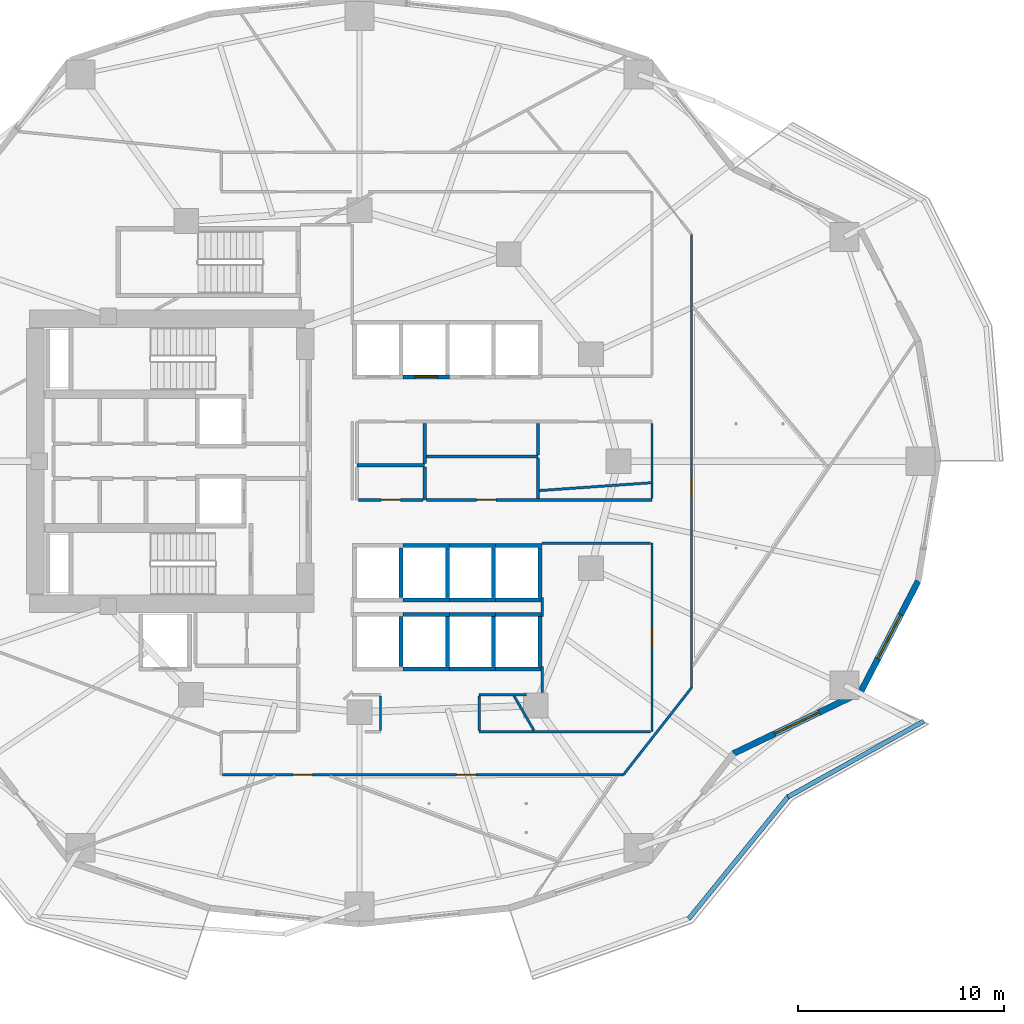
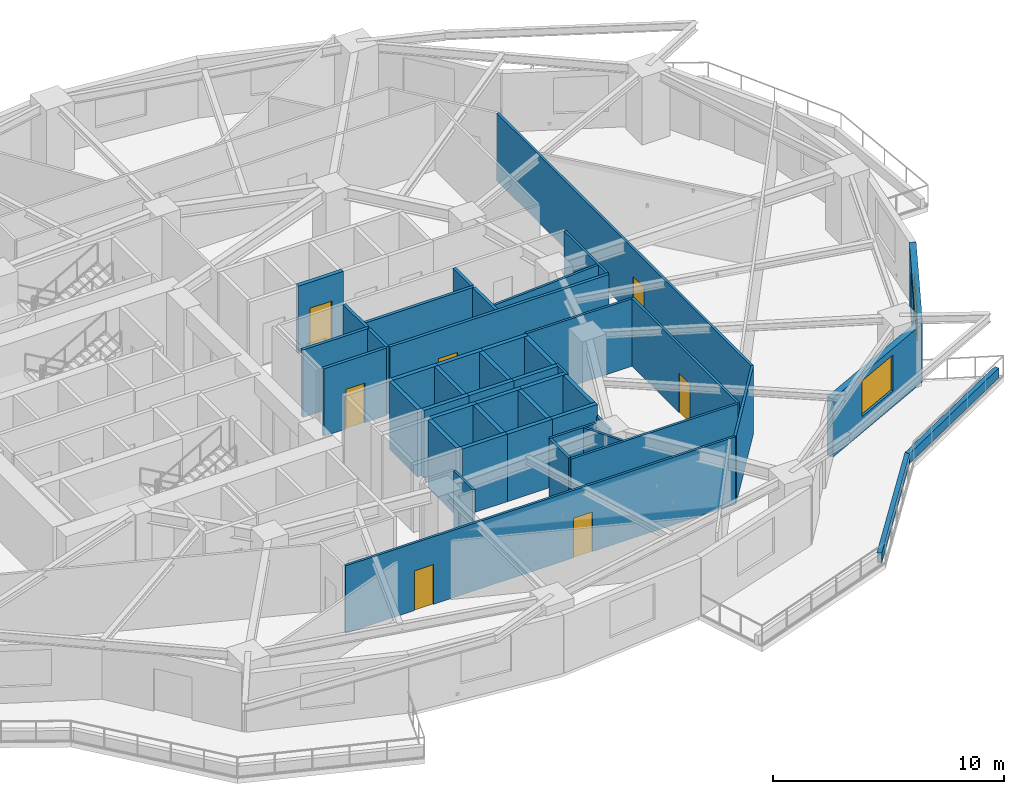
# One storey, part 5 of 16: 47 walls, 7 doors, 2 windows, 9 openings.
"""IFC4 building model written with IfcOpenShell, lengths in metres."""

from ifc_helpers import new_model, si_unit, direction, frame, frame_2d, origin, place, context, subcontext, project, spatial, rectangle, extrude, material, layer, layer_set, type_object, element, fill, save


model = new_model("IFC4")

# Units and contexts
model_context = context("Model", 3, precision=1e-05, world=origin(), true_north=direction((0.0, 1.0)))
body_context = subcontext(model_context, "Body", "Model", "MODEL_VIEW")
ifc_project = project(units=[si_unit("LENGTHUNIT", "METRE"), si_unit("AREAUNIT", "SQUARE_METRE"), si_unit("VOLUMEUNIT", "CUBIC_METRE"), si_unit("PLANEANGLEUNIT", "RADIAN"), si_unit("MASSUNIT", "GRAM", prefix="KILO")], contexts=[model_context])

# Site, building, storey
site_placement = place(None, origin())
site = spatial("IfcSite", under=ifc_project, at=site_placement, CompositionType="ELEMENT")
building_placement = place(site_placement, origin())
building = spatial("IfcBuilding", under=site, at=building_placement, Name="Kolvaren Gate Tower and Convention Centre", CompositionType="ELEMENT")
storey_placement = place(building_placement, frame((0.0, 0.0, 34.199951171875)))
storey = spatial("IfcBuildingStorey", under=building, at=storey_placement, Name="L07", CompositionType="ELEMENT", Elevation=34.199951171875)

# Wall, opening, door
ifc_material_1 = material(Name="Fire-Rated Acoustic Gypsum Stud Partition", Category="gypsum")
ifc_layer_1 = layer(ifc_material_1, 0.1201171875)
ifc_layer_set_1 = layer_set([ifc_layer_1], Name="Fire-Rated Acoustic Gypsum Stud Partition")
wall_type_1 = type_object("IfcWallType", Name="ARCH-WL-PART-120", PredefinedType="PARTITIONING", material=ifc_layer_set_1)
wall_1_placement = place(storey_placement, frame((44.35009765625, 13.85009765625, 0.0), z_axis=(0.0, 0.0, 1.0), x_axis=(0.0, 1.0, 0.0)))
wall_1 = element("IfcWall", 1, at=wall_1_placement, inside=storey, type_object=wall_type_1, Name="Interior Partition WL-L07-INT-026", PredefinedType="PARTITIONING", context=body_context, shape_type="SweptSolid", body=[
    extrude(rectangle(XDim=9.169921875, YDim=0.1201171875, at=frame_2d((4.5849609375, 0.0))), origin(), (0.0, 0.0, 1.0), 3.570068359375),
])
opening_1_placement = place(wall_1_placement, frame((4.110107421875, 0.0, 0.0)))
opening_1 = element("IfcOpeningElement", 2, at=opening_1_placement, cuts=wall_1, Name="Opening DR-01", PredefinedType="OPENING", context=body_context, shape_type="SweptSolid", body=[
    extrude(rectangle(XDim=0.949951171875, YDim=2.10009765625, at=frame_2d((0.47509765625, 1.050048828125))), frame((0.0, 0.070068359375, 0.0), z_axis=(0.0, -1.0, 0.0), x_axis=(1.0, 0.0, 0.0)), (0.0, 0.0, 1.0), 0.14013671875),
])
ifc_material_2 = material(Name="Painted Architectural Steelwork ASTM A500 Grade C 345 MPa", Category="steel")
door_type_1 = type_object("IfcDoorType", Name="ARCH-DR-RISER-950", OperationType="SINGLE_SWING_RIGHT", PredefinedType="DOOR", material=ifc_material_2)
door_1_placement = place(opening_1_placement, origin())
door_1 = element("IfcDoor", 3, at=door_1_placement, inside=storey, type_object=door_type_1, Name="Strategy Huddle Meeting Room Door", OperationType="SINGLE_SWING_RIGHT", OverallHeight=2.10009765625, OverallWidth=0.949951171875, PredefinedType="DOOR", context=body_context, shape_type="SweptSolid", body=[
    extrude(rectangle(XDim=0.949951171875, YDim=2.10009765625, at=frame_2d((0.47509765625, 1.050048828125))), frame((0.0, 0.02490234375, 0.0), z_axis=(0.0, -1.0, 0.0), x_axis=(1.0, 0.0, 0.0)), (0.0, 0.0, 1.0), 0.050048828125),
])
fill(opening_1, door_1)

# Wall
wall_2_placement = place(storey_placement, frame((44.35009765625, 25.197021484375, 0.0), z_axis=(0.0, 0.0, 1.0), x_axis=(0.0, 1.0, 0.0)))
element("IfcWall", 4, at=wall_2_placement, inside=storey, type_object=wall_type_1, Name="Interior Partition WL-L07-INT-027", PredefinedType="PARTITIONING", context=body_context, shape_type="SweptSolid", body=[
    extrude(rectangle(XDim=3.64599609375, YDim=0.1201171875, at=frame_2d((1.822998046875, 0.0))), origin(), (0.0, 0.0, 1.0), 3.570068359375),
])

# Wall, opening, door
wall_3_placement = place(storey_placement, frame((46.27001953125, 15.98193359375, 0.0), z_axis=(0.0, 0.0, 1.0), x_axis=(0.0, 1.0, 0.0)))
wall_3 = element("IfcWall", 5, at=wall_3_placement, inside=storey, type_object=wall_type_1, Name="Interior Partition WL-L07-INT-035", PredefinedType="PARTITIONING", context=body_context, shape_type="SweptSolid", body=[
    extrude(rectangle(XDim=22.0361328125, YDim=0.1201171875, at=frame_2d((11.01806640625, 0.0))), origin(), (0.0, 0.0, 1.0), 3.570068359375),
])
opening_2_placement = place(wall_3_placement, frame((9.280029296875, 0.0, 0.0)))
opening_2 = element("IfcOpeningElement", 6, at=opening_2_placement, cuts=wall_3, Name="Opening DR-01", PredefinedType="OPENING", context=body_context, shape_type="SweptSolid", body=[
    extrude(rectangle(XDim=0.949951171875, YDim=2.10009765625, at=frame_2d((0.47509765625, 1.050048828125))), frame((0.0, 0.070068359375, 0.0), z_axis=(0.0, -1.0, 0.0), x_axis=(1.0, 0.0, 0.0)), (0.0, 0.0, 1.0), 0.14013671875),
])
door_2_placement = place(opening_2_placement, origin())
door_2 = element("IfcDoor", 7, at=door_2_placement, inside=storey, type_object=door_type_1, Name="Strategy Huddle Meeting Room Door", OperationType="SINGLE_SWING_LEFT", OverallHeight=2.10009765625, OverallWidth=0.949951171875, PredefinedType="DOOR", context=body_context, shape_type="SweptSolid", body=[
    extrude(rectangle(XDim=0.949951171875, YDim=2.10009765625, at=frame_2d((0.47509765625, 1.050048828125))), frame((0.0, 0.02490234375, 0.0), z_axis=(0.0, -1.0, 0.0), x_axis=(1.0, 0.0, 0.0)), (0.0, 0.0, 1.0), 0.050048828125),
])
fill(opening_2, door_2)

# Wall
wall_4_placement = place(storey_placement, frame((42.95703125, 11.75, 0.0), z_axis=(0.0, 0.0, 1.0), x_axis=(0.616428289415, 0.78741105149, 0.0)))
element("IfcWall", 8, at=wall_4_placement, inside=storey, type_object=wall_type_1, Name="Interior Partition WL-L07-INT-036", PredefinedType="PARTITIONING", context=body_context, shape_type="SweptSolid", body=[
    extrude(rectangle(XDim=5.37451171875, YDim=0.1201171875, at=frame_2d((2.687255859375, 0.0))), origin(), (0.0, 0.0, 1.0), 3.570068359375),
])

# Wall, openings, doors
wall_5_placement = place(storey_placement, frame((23.4619140625, 11.75, 0.0), z_axis=(0.0, 0.0, 1.0), x_axis=(1.0, 0.0, 0.0)))
wall_5 = element("IfcWall", 9, at=wall_5_placement, inside=storey, type_object=wall_type_1, Name="Interior Partition WL-L07-INT-037", PredefinedType="PARTITIONING", context=body_context, shape_type="SweptSolid", body=[
    extrude(rectangle(XDim=19.4951171875, YDim=0.1201171875, at=frame_2d((9.74755859375, 0.0))), origin(), (0.0, 0.0, 1.0), 3.570068359375),
])
opening_3_placement = place(wall_5_placement, frame((3.43408203125, 0.0, 0.0)))
opening_3 = element("IfcOpeningElement", 10, at=opening_3_placement, cuts=wall_5, Name="Opening DR-01", PredefinedType="OPENING", context=body_context, shape_type="SweptSolid", body=[
    extrude(rectangle(XDim=0.949951171875, YDim=2.10009765625, at=frame_2d((0.47509765625, 1.050048828125))), frame((0.0, 0.070068359375, 0.0), z_axis=(0.0, -1.0, 0.0), x_axis=(1.0, 0.0, 0.0)), (0.0, 0.0, 1.0), 0.14013671875),
])
opening_4_placement = place(wall_5_placement, frame((11.388427734375, 0.0, 0.0)))
opening_4 = element("IfcOpeningElement", 11, at=opening_4_placement, cuts=wall_5, Name="Opening DR-01", PredefinedType="OPENING", context=body_context, shape_type="SweptSolid", body=[
    extrude(rectangle(XDim=0.949951171875, YDim=2.10009765625, at=frame_2d((0.47509765625, 1.050048828125))), frame((0.0, 0.070068359375, 0.0), z_axis=(0.0, -1.0, 0.0), x_axis=(1.0, 0.0, 0.0)), (0.0, 0.0, 1.0), 0.14013671875),
])
door_3_placement = place(opening_3_placement, origin())
door_3 = element("IfcDoor", 12, at=door_3_placement, inside=storey, type_object=door_type_1, Name="Conference and Training Seminar Room Door", OperationType="SINGLE_SWING_RIGHT", OverallHeight=2.10009765625, OverallWidth=0.949951171875, PredefinedType="DOOR", context=body_context, shape_type="SweptSolid", body=[
    extrude(rectangle(XDim=0.949951171875, YDim=2.10009765625, at=frame_2d((0.47509765625, 1.050048828125))), frame((0.0, 0.02490234375, 0.0), z_axis=(0.0, -1.0, 0.0), x_axis=(1.0, 0.0, 0.0)), (0.0, 0.0, 1.0), 0.050048828125),
])
fill(opening_3, door_3)
door_4_placement = place(opening_4_placement, origin())
door_4 = element("IfcDoor", 13, at=door_4_placement, inside=storey, type_object=door_type_1, Name="Catering Tea Pantry Door", OperationType="SINGLE_SWING_LEFT", OverallHeight=2.10009765625, OverallWidth=0.949951171875, PredefinedType="DOOR", context=body_context, shape_type="SweptSolid", body=[
    extrude(rectangle(XDim=0.949951171875, YDim=2.10009765625, at=frame_2d((0.47509765625, 1.050048828125))), frame((0.0, 0.02490234375, 0.0), z_axis=(0.0, -1.0, 0.0), x_axis=(1.0, 0.0, 0.0)), (0.0, 0.0, 1.0), 0.050048828125),
])
fill(opening_4, door_4)

# Walls
wall_6_placement = place(storey_placement, frame((35.949951171875, 13.85009765625, 0.0), z_axis=(0.0, 0.0, 1.0), x_axis=(1.0, 0.0, 0.0)))
element("IfcWall", 14, at=wall_6_placement, inside=storey, type_object=wall_type_1, Name="Interior Partition WL-L07-INT-040", PredefinedType="PARTITIONING", context=body_context, shape_type="SweptSolid", body=[
    extrude(rectangle(XDim=8.338134765625, YDim=0.1201171875, at=frame_2d((4.1689453125, 0.0))), origin(), (0.0, 0.0, 1.0), 3.570068359375),
])
wall_7_placement = place(storey_placement, frame((35.949951171875, 15.64990234375, 0.0), z_axis=(0.0, 0.0, 1.0), x_axis=(1.0, 0.0, 0.0)))
element("IfcWall", 15, at=wall_7_placement, inside=storey, type_object=wall_type_1, Name="Interior Partition WL-L07-INT-044", PredefinedType="PARTITIONING", context=body_context, shape_type="SweptSolid", body=[
    extrude(rectangle(XDim=2.291015625, YDim=0.1201171875, at=frame_2d((1.1455078125, 0.0))), origin(), (0.0, 0.0, 1.0), 3.570068359375),
])
wall_8_placement = place(storey_placement, frame((35.949951171875, 13.912109375, 0.0), z_axis=(0.0, 0.0, 1.0), x_axis=(0.0, 1.0, 0.0)))
element("IfcWall", 16, at=wall_8_placement, inside=storey, type_object=wall_type_1, Name="Interior Partition WL-L07-INT-045", PredefinedType="PARTITIONING", context=body_context, shape_type="SweptSolid", body=[
    extrude(rectangle(XDim=1.67578125, YDim=0.1201171875, at=frame_2d((0.837890625, 0.0))), origin(), (0.0, 0.0, 1.0), 3.570068359375),
])
wall_9_placement = place(storey_placement, frame((39.0, 23.02001953125, 0.0), z_axis=(0.0, 0.0, 1.0), x_axis=(1.0, 0.0, 0.0)))
element("IfcWall", 17, at=wall_9_placement, inside=storey, type_object=wall_type_1, Name="Interior Partition WL-L07-INT-046", PredefinedType="PARTITIONING", context=body_context, shape_type="SweptSolid", body=[
    extrude(rectangle(XDim=5.2880859375, YDim=0.1201171875, at=frame_2d((2.64404296875, 0.0))), origin(), (0.0, 0.0, 1.0), 3.570068359375),
])
wall_10_placement = place(storey_placement, frame((39.02001953125, 15.741943359375, 0.0), z_axis=(0.0, 0.0, 1.0), x_axis=(0.0, 1.0, 0.0)))
element("IfcWall", 18, at=wall_10_placement, inside=storey, type_object=wall_type_1, Name="Interior Partition WL-L07-INT-047", PredefinedType="PARTITIONING", context=body_context, shape_type="SweptSolid", body=[
    extrude(rectangle(XDim=1.26806640625, YDim=0.1201171875, at=frame_2d((0.634033203125, 0.0))), origin(), (0.0, 0.0, 1.0), 2.93408203125),
])
wall_11_placement = place(storey_placement, frame((39.02001953125, 19.43994140625, 0.0), z_axis=(0.0, 0.0, 1.0), x_axis=(0.0, 1.0, 0.0)))
element("IfcWall", 19, at=wall_11_placement, inside=storey, type_object=wall_type_1, Name="Interior Partition WL-L07-INT-047 (2)", PredefinedType="PARTITIONING", context=body_context, shape_type="SweptSolid", body=[
    extrude(rectangle(XDim=0.920166015625, YDim=0.1201171875, at=frame_2d((0.4599609375, 0.0))), origin(), (0.0, 0.0, 1.0), 3.570068359375),
])
wall_12_placement = place(storey_placement, frame((31.14990234375, 13.912109375, 0.0), z_axis=(0.0, 0.0, 1.0), x_axis=(0.0, 1.0, 0.0)))
element("IfcWall", 20, at=wall_12_placement, inside=storey, type_object=wall_type_1, Name="Interior Partition WL-L07-INT-049", PredefinedType="PARTITIONING", context=body_context, shape_type="SweptSolid", body=[
    extrude(rectangle(XDim=1.67578125, YDim=0.1201171875, at=frame_2d((0.837890625, 0.0))), origin(), (0.0, 0.0, 1.0), 3.570068359375),
])
wall_13_placement = place(storey_placement, frame((37.641845703125, 15.587890625, 0.0), z_axis=(0.0, 0.0, 1.0), x_axis=(0.499911776505, -0.866076333652, 0.0)))
element("IfcWall", 21, at=wall_13_placement, inside=storey, type_object=wall_type_1, Name="Interior Partition WL-L07-INT-059", PredefinedType="PARTITIONING", context=body_context, shape_type="SweptSolid", body=[
    extrude(rectangle(XDim=1.934814453125, YDim=0.1201171875, at=frame_2d((0.96728515625, 0.0))), origin(), (0.0, 0.0, 1.0), 3.570068359375),
])
wall_14_placement = place(storey_placement, frame((38.876953125, 25.5703125, 0.0), z_axis=(0.0, 0.0, 1.0), x_axis=(0.997563605061, 0.069762840094, 0.0)))
element("IfcWall", 22, at=wall_14_placement, inside=storey, type_object=wall_type_1, Name="Interior Partition WL-L07-INT-062", PredefinedType="PARTITIONING", context=body_context, shape_type="SweptSolid", body=[
    extrude(rectangle(XDim=5.42431640625, YDim=0.1201171875, at=frame_2d((2.712158203125, 0.0))), origin(), (0.0, 0.0, 1.0), 3.570068359375),
])
ifc_material_3 = material(Name="Piedmont Cream Honed Limestone Cladding", Category="masonry")
ifc_layer_2 = layer(ifc_material_3, 0.219970703125)
ifc_layer_set_2 = layer_set([ifc_layer_2], Name="Piedmont Cream Honed Limestone Cladding")
wall_type_2 = type_object("IfcWallType", Name="ARCH-WL-PLANTER-220", PredefinedType="PARAPET", material=ifc_layer_set_2)
wall_15_placement = place(storey_placement, frame((46.1357421875, 4.748779296875, 0.0), z_axis=(0.0, 0.0, 1.0), x_axis=(0.630997450658, 0.775784903993, 0.0)))
element("IfcWall", 23, at=wall_15_placement, inside=storey, type_object=wall_type_2, Name="Vertical-Forest Balcony Stone Planter Kerb PK-L07-4.2", PredefinedType="PARAPET", context=body_context, shape_type="SweptSolid", body=[
    extrude(rectangle(XDim=7.7177734375, YDim=0.219970703125, at=frame_2d((3.85888671875, 0.0))), origin(), (0.0, 0.0, 1.0), 0.52001953125),
])
wall_16_placement = place(storey_placement, frame((50.959228515625, 10.677978515625, 0.0), z_axis=(0.0, 0.0, 1.0), x_axis=(0.873500119739, 0.48682393205, 0.0)))
element("IfcWall", 24, at=wall_16_placement, inside=storey, type_object=wall_type_2, Name="Vertical-Forest Balcony Stone Planter Kerb PK-L07-4.3", PredefinedType="PARAPET", context=body_context, shape_type="SweptSolid", body=[
    extrude(rectangle(XDim=7.56201171875, YDim=0.219970703125, at=frame_2d((3.781005859375, 0.0))), origin(), (0.0, 0.0, 1.0), 0.52001953125),
])

# Wall, opening, door
ifc_material_4 = material(Name="Autoclaved Aerated Masonry Blockwork Class 4 (4.0 MPa)", Category="masonry")
ifc_layer_3 = layer(ifc_material_4, 0.199951171875)
ifc_layer_set_3 = layer_set([ifc_layer_3], Name="Autoclaved Aerated Masonry Blockwork Class 4 (4.0 MPa)")
wall_type_3 = type_object("IfcWallType", Name="ARCH-WL-SHAFT-200", PredefinedType="SOLIDWALL", material=ifc_layer_set_3)
wall_17_placement = place(storey_placement, frame((32.25, 31.10009765625, 0.0), z_axis=(0.0, 0.0, 1.0), x_axis=(1.0, 0.0, 0.0)))
wall_17 = element("IfcWall", 25, at=wall_17_placement, inside=storey, type_object=wall_type_3, Name="Elevator PL-02 L07 Fire Shaft Wall S", PredefinedType="SOLIDWALL", context=body_context, shape_type="SweptSolid", body=[
    extrude(rectangle(XDim=2.25, YDim=0.199951171875, at=frame_2d((1.125, 0.0))), origin(), (0.0, 0.0, 1.0), 3.570068359375),
])
opening_5_placement = place(wall_17_placement, frame((0.574951171875, 0.0, 0.0)))
opening_5 = element("IfcOpeningElement", 26, at=opening_5_placement, cuts=wall_17, Name="Opening LD", PredefinedType="OPENING", context=body_context, shape_type="SweptSolid", body=[
    extrude(rectangle(XDim=1.10009765625, YDim=2.199951171875, at=frame_2d((0.550048828125, 1.10009765625))), frame((0.0, 0.10986328125, 0.0), z_axis=(0.0, -1.0, 0.0), x_axis=(1.0, 0.0, 0.0)), (0.0, 0.0, 1.0), 0.219970703125),
])
ifc_material_5 = material(Name="Brushed Stainless Steel Grade 316L", Category="steel")
door_type_2 = type_object("IfcDoorType", Name="ARCH-DR-LIFT-1100", OperationType="SLIDING_TO_LEFT", PredefinedType="DOOR", material=ifc_material_5)
door_5_placement = place(opening_5_placement, origin())
door_5 = element("IfcDoor", 27, at=door_5_placement, inside=storey, type_object=door_type_2, Name="Elevator PL-02 L07 Sliding Landing Door", OperationType="SLIDING_TO_LEFT", OverallHeight=2.199951171875, OverallWidth=1.10009765625, PredefinedType="DOOR", context=body_context, shape_type="SweptSolid", body=[
    extrude(rectangle(XDim=1.10009765625, YDim=2.199951171875, at=frame_2d((0.550048828125, 1.10009765625))), frame((0.0, 0.02490234375, 0.0), z_axis=(0.0, -1.0, 0.0), x_axis=(1.0, 0.0, 0.0)), (0.0, 0.0, 1.0), 0.050048828125),
])
fill(opening_5, door_5)

# Walls
wall_18_placement = place(storey_placement, frame((32.14990234375, 17.010009765625, 0.0), z_axis=(0.0, 0.0, 1.0), x_axis=(0.0, 1.0, 0.0)))
element("IfcWall", 28, at=wall_18_placement, inside=storey, type_object=wall_type_3, Name="Elevator PL-05 L07 Fire Shaft Wall E", PredefinedType="SOLIDWALL", context=body_context, shape_type="SweptSolid", body=[
    extrude(rectangle(XDim=2.429931640625, YDim=0.199951171875, at=frame_2d((1.21484375, 0.0))), origin(), (0.0, 0.0, 1.0), 3.570068359375),
])
for number, where, z_axis, x_axis, name in (
    (29, (32.25, 19.550048828125, 0.0), (0.0, 0.0, 1.0), (1.0, 0.0, 0.0), "Elevator PL-06 L07 Fire Shaft Wall N"),
    (30, (32.25, 16.89990234375, 0.0), (0.0, 0.0, 1.0), (1.0, 0.0, 0.0), "Elevator PL-06 L07 Fire Shaft Wall S"),
):
    element("IfcWall", number, at=place(storey_placement, frame(where, z_axis=z_axis, x_axis=x_axis)), inside=storey, type_object=wall_type_3, Name=name, PredefinedType="SOLIDWALL", context=body_context, shape_type="SweptSolid", body=[
        extrude(rectangle(XDim=2.25, YDim=0.199951171875, at=frame_2d((1.125, 0.0))), origin(), (0.0, 0.0, 1.0), 3.570068359375),
    ])
wall_19_placement = place(storey_placement, frame((34.39990234375, 17.010009765625, 0.0), z_axis=(0.0, 0.0, 1.0), x_axis=(0.0, 1.0, 0.0)))
element("IfcWall", 31, at=wall_19_placement, inside=storey, type_object=wall_type_3, Name="Elevator PL-06 L07 Fire Shaft Wall E", PredefinedType="SOLIDWALL", context=body_context, shape_type="SweptSolid", body=[
    extrude(rectangle(XDim=2.429931640625, YDim=0.199951171875, at=frame_2d((1.21484375, 0.0))), origin(), (0.0, 0.0, 1.0), 3.570068359375),
])
for number, where, z_axis, x_axis, name in (
    (32, (34.5, 19.550048828125, 0.0), (0.0, 0.0, 1.0), (1.0, 0.0, 0.0), "Elevator PL-07 L07 Fire Shaft Wall N"),
    (33, (34.5, 16.89990234375, 0.0), (0.0, 0.0, 1.0), (1.0, 0.0, 0.0), "Elevator PL-07 L07 Fire Shaft Wall S"),
):
    element("IfcWall", number, at=place(storey_placement, frame(where, z_axis=z_axis, x_axis=x_axis)), inside=storey, type_object=wall_type_3, Name=name, PredefinedType="SOLIDWALL", context=body_context, shape_type="SweptSolid", body=[
        extrude(rectangle(XDim=2.25, YDim=0.199951171875, at=frame_2d((1.125, 0.0))), origin(), (0.0, 0.0, 1.0), 3.570068359375),
    ])
wall_20_placement = place(storey_placement, frame((36.64990234375, 17.010009765625, 0.0), z_axis=(0.0, 0.0, 1.0), x_axis=(0.0, 1.0, 0.0)))
element("IfcWall", 34, at=wall_20_placement, inside=storey, type_object=wall_type_3, Name="Elevator PL-07 L07 Fire Shaft Wall E", PredefinedType="SOLIDWALL", context=body_context, shape_type="SweptSolid", body=[
    extrude(rectangle(XDim=2.429931640625, YDim=0.199951171875, at=frame_2d((1.21484375, 0.0))), origin(), (0.0, 0.0, 1.0), 3.570068359375),
])
for number, where, z_axis, x_axis, name in (
    (35, (36.75, 19.550048828125, 0.0), (0.0, 0.0, 1.0), (1.0, 0.0, 0.0), "Elevator PL-08 L07 Fire Shaft Wall N"),
    (36, (36.75, 16.89990234375, 0.0), (0.0, 0.0, 1.0), (1.0, 0.0, 0.0), "Elevator PL-08 L07 Fire Shaft Wall S"),
):
    element("IfcWall", number, at=place(storey_placement, frame(where, z_axis=z_axis, x_axis=x_axis)), inside=storey, type_object=wall_type_3, Name=name, PredefinedType="SOLIDWALL", context=body_context, shape_type="SweptSolid", body=[
        extrude(rectangle(XDim=2.25, YDim=0.199951171875, at=frame_2d((1.125, 0.0))), origin(), (0.0, 0.0, 1.0), 3.570068359375),
    ])
for number, where, z_axis, x_axis, name in (
    (37, (38.89990234375, 17.010009765625, 0.0), (0.0, 0.0, 1.0), (0.0, 1.0, 0.0), "Elevator PL-08 L07 Fire Shaft Wall E"),
    (38, (32.14990234375, 20.360107421875, 0.0), (0.0, 0.0, 1.0), (0.0, 1.0, 0.0), "Elevator PL-09 L07 Fire Shaft Wall E"),
):
    element("IfcWall", number, at=place(storey_placement, frame(where, z_axis=z_axis, x_axis=x_axis)), inside=storey, type_object=wall_type_3, Name=name, PredefinedType="SOLIDWALL", context=body_context, shape_type="SweptSolid", body=[
        extrude(rectangle(XDim=2.429931640625, YDim=0.199951171875, at=frame_2d((1.21484375, 0.0))), origin(), (0.0, 0.0, 1.0), 3.570068359375),
    ])
for number, where, z_axis, x_axis, name in (
    (39, (32.25, 22.89990234375, 0.0), (0.0, 0.0, 1.0), (1.0, 0.0, 0.0), "Elevator PL-10 L07 Fire Shaft Wall N"),
    (40, (32.25, 20.25, 0.0), (0.0, 0.0, 1.0), (1.0, 0.0, 0.0), "Elevator PL-10 L07 Fire Shaft Wall S"),
):
    element("IfcWall", number, at=place(storey_placement, frame(where, z_axis=z_axis, x_axis=x_axis)), inside=storey, type_object=wall_type_3, Name=name, PredefinedType="SOLIDWALL", context=body_context, shape_type="SweptSolid", body=[
        extrude(rectangle(XDim=2.25, YDim=0.199951171875, at=frame_2d((1.125, 0.0))), origin(), (0.0, 0.0, 1.0), 3.570068359375),
    ])
wall_21_placement = place(storey_placement, frame((34.39990234375, 20.360107421875, 0.0), z_axis=(0.0, 0.0, 1.0), x_axis=(0.0, 1.0, 0.0)))
element("IfcWall", 41, at=wall_21_placement, inside=storey, type_object=wall_type_3, Name="Elevator PL-10 L07 Fire Shaft Wall E", PredefinedType="SOLIDWALL", context=body_context, shape_type="SweptSolid", body=[
    extrude(rectangle(XDim=2.429931640625, YDim=0.199951171875, at=frame_2d((1.21484375, 0.0))), origin(), (0.0, 0.0, 1.0), 3.570068359375),
])
for number, where, z_axis, x_axis, name in (
    (42, (34.5, 22.89990234375, 0.0), (0.0, 0.0, 1.0), (1.0, 0.0, 0.0), "Elevator PL-11 L07 Fire Shaft Wall N"),
    (43, (34.5, 20.25, 0.0), (0.0, 0.0, 1.0), (1.0, 0.0, 0.0), "Elevator PL-11 L07 Fire Shaft Wall S"),
):
    element("IfcWall", number, at=place(storey_placement, frame(where, z_axis=z_axis, x_axis=x_axis)), inside=storey, type_object=wall_type_3, Name=name, PredefinedType="SOLIDWALL", context=body_context, shape_type="SweptSolid", body=[
        extrude(rectangle(XDim=2.25, YDim=0.199951171875, at=frame_2d((1.125, 0.0))), origin(), (0.0, 0.0, 1.0), 3.570068359375),
    ])
wall_22_placement = place(storey_placement, frame((36.64990234375, 20.360107421875, 0.0), z_axis=(0.0, 0.0, 1.0), x_axis=(0.0, 1.0, 0.0)))
element("IfcWall", 44, at=wall_22_placement, inside=storey, type_object=wall_type_3, Name="Elevator PL-11 L07 Fire Shaft Wall E", PredefinedType="SOLIDWALL", context=body_context, shape_type="SweptSolid", body=[
    extrude(rectangle(XDim=2.429931640625, YDim=0.199951171875, at=frame_2d((1.21484375, 0.0))), origin(), (0.0, 0.0, 1.0), 3.570068359375),
])
for number, where, z_axis, x_axis, name in (
    (45, (36.75, 22.89990234375, 0.0), (0.0, 0.0, 1.0), (1.0, 0.0, 0.0), "Elevator PL-12 L07 Fire Shaft Wall N"),
    (46, (36.75, 20.25, 0.0), (0.0, 0.0, 1.0), (1.0, 0.0, 0.0), "Elevator PL-12 L07 Fire Shaft Wall S"),
):
    element("IfcWall", number, at=place(storey_placement, frame(where, z_axis=z_axis, x_axis=x_axis)), inside=storey, type_object=wall_type_3, Name=name, PredefinedType="SOLIDWALL", context=body_context, shape_type="SweptSolid", body=[
        extrude(rectangle(XDim=2.25, YDim=0.199951171875, at=frame_2d((1.125, 0.0))), origin(), (0.0, 0.0, 1.0), 3.570068359375),
    ])
wall_23_placement = place(storey_placement, frame((38.89990234375, 20.360107421875, 0.0), z_axis=(0.0, 0.0, 1.0), x_axis=(0.0, 1.0, 0.0)))
element("IfcWall", 47, at=wall_23_placement, inside=storey, type_object=wall_type_3, Name="Elevator PL-12 L07 Fire Shaft Wall E", PredefinedType="SOLIDWALL", context=body_context, shape_type="SweptSolid", body=[
    extrude(rectangle(XDim=2.429931640625, YDim=0.199951171875, at=frame_2d((1.21484375, 0.0))), origin(), (0.0, 0.0, 1.0), 3.570068359375),
])

# Wall, opening, window
ifc_layer_4 = layer(ifc_material_3, 0.300048828125)
ifc_layer_set_4 = layer_set([ifc_layer_4], Name="Piedmont Cream Honed Limestone Cladding")
wall_type_4 = type_object("IfcWallType", Name="ARCH-WL-STONE-300", PredefinedType="SOLIDWALL", material=ifc_layer_set_4)
wall_24_placement = place(storey_placement, frame((48.315185546875, 12.787109375, 0.0), z_axis=(0.0, 0.0, 1.0), x_axis=(0.901360393999, 0.433069786673, 0.0)))
wall_24 = element("IfcWall", 48, at=wall_24_placement, inside=storey, type_object=wall_type_4, Name="Tower L07 Honed Stone Spandrel Wall EW-21", PredefinedType="SOLIDWALL", context=body_context, shape_type="SweptSolid", body=[
    extrude(rectangle(XDim=6.841552734375, YDim=0.300048828125, at=frame_2d((3.4208984375, 0.0))), origin(), (0.0, 0.0, 1.0), 3.093017578125),
])
opening_6_placement = place(wall_24_placement, frame((2.220947265625, 0.0, 0.85009765625)))
opening_6 = element("IfcOpeningElement", 49, at=opening_6_placement, cuts=wall_24, Name="Opening W-01", PredefinedType="OPENING", context=body_context, shape_type="SweptSolid", body=[
    extrude(rectangle(XDim=2.39990234375, YDim=1.89990234375, at=frame_2d((1.199951171875, 0.949951171875))), frame((0.0, 0.159912109375, 0.0), z_axis=(0.0, -1.0, 0.0), x_axis=(1.0, 0.0, 0.0)), (0.0, 0.0, 1.0), 0.320068359375),
])
ifc_material_6 = material(Name="Low-E Triple Insulated Glazing Unit 44 mm", Category="glass")
window_type = type_object("IfcWindowType", Name="ARCH-WN-OFF-2400", PartitioningType="SINGLE_PANEL", PredefinedType="WINDOW", material=ifc_material_6)
window_1_placement = place(opening_6_placement, origin())
window_1 = element("IfcWindow", 50, at=window_1_placement, inside=storey, type_object=window_type, Name="Tower L07 Punched Stone Facade Window W-21", OverallHeight=1.89990234375, OverallWidth=2.39990234375, PartitioningType="SINGLE_PANEL", PredefinedType="WINDOW", context=body_context, shape_type="SweptSolid", body=[
    extrude(rectangle(XDim=2.39990234375, YDim=1.89990234375, at=frame_2d((1.199951171875, 0.949951171875))), frame((0.0, 0.030029296875, 0.0), z_axis=(0.0, -1.0, 0.0), x_axis=(1.0, 0.0, 0.0)), (0.0, 0.0, 1.0), 0.06005859375),
])
fill(opening_6, window_1)

wall_25_placement = place(storey_placement, frame((54.48193359375, 15.75, 0.0), z_axis=(0.0, 0.0, 1.0), x_axis=(0.459809804413, 0.88801742312, 0.0)))
wall_25 = element("IfcWall", 51, at=wall_25_placement, inside=storey, type_object=wall_type_4, Name="Tower L07 Honed Stone Spandrel Wall EW-22", PredefinedType="SOLIDWALL", context=body_context, shape_type="SweptSolid", body=[
    extrude(rectangle(XDim=6.11083984375, YDim=0.300048828125, at=frame_2d((3.055419921875, 0.0))), origin(), (0.0, 0.0, 1.0), 3.093017578125),
])
opening_7_placement = place(wall_25_placement, frame((1.85498046875, 0.0, 0.85009765625)))
opening_7 = element("IfcOpeningElement", 52, at=opening_7_placement, cuts=wall_25, Name="Opening W-01", PredefinedType="OPENING", context=body_context, shape_type="SweptSolid", body=[
    extrude(rectangle(XDim=2.39990234375, YDim=1.89990234375, at=frame_2d((1.199951171875, 0.949951171875))), frame((0.0, 0.159912109375, 0.0), z_axis=(0.0, -1.0, 0.0), x_axis=(1.0, 0.0, 0.0)), (0.0, 0.0, 1.0), 0.320068359375),
])
window_2_placement = place(opening_7_placement, origin())
window_2 = element("IfcWindow", 53, at=window_2_placement, inside=storey, type_object=window_type, Name="Tower L07 Punched Stone Facade Window W-22", OverallHeight=1.89990234375, OverallWidth=2.39990234375, PartitioningType="SINGLE_PANEL", PredefinedType="WINDOW", context=body_context, shape_type="SweptSolid", body=[
    extrude(rectangle(XDim=2.39990234375, YDim=1.89990234375, at=frame_2d((1.199951171875, 0.949951171875))), frame((0.0, 0.030029296875, 0.0), z_axis=(0.0, -1.0, 0.0), x_axis=(1.0, 0.0, 0.0)), (0.0, 0.0, 1.0), 0.06005859375),
])
fill(opening_7, window_2)

# Walls
ifc_material_7 = material(Name="Moisture-Resistant Cement-Board Acoustic Partition", Category="gypsum")
ifc_layer_5 = layer(ifc_material_7, 0.14990234375)
ifc_layer_set_5 = layer_set([ifc_layer_5], Name="Moisture-Resistant Cement-Board Acoustic Partition")
wall_type_5 = type_object("IfcWallType", Name="ARCH-WL-WET-150", PredefinedType="PARTITIONING", material=ifc_layer_set_5)
wall_26_placement = place(storey_placement, frame((30.0, 26.800048828125, 0.0), z_axis=(0.0, 0.0, 1.0), x_axis=(1.0, 0.0, 0.0)))
element("IfcWall", 54, at=wall_26_placement, inside=storey, type_object=wall_type_5, Name="Interior Partition WL-L07-INT-015", PredefinedType="PARTITIONING", context=body_context, shape_type="SweptSolid", body=[
    extrude(rectangle(XDim=3.300048828125, YDim=0.14990234375, at=frame_2d((1.64990234375, 0.0))), origin(), (0.0, 0.0, 1.0), 3.570068359375),
])
wall_27_placement = place(storey_placement, frame((33.300048828125, 25.1201171875, 0.0), z_axis=(0.0, 0.0, 1.0), x_axis=(0.0, 1.0, 0.0)))
element("IfcWall", 55, at=wall_27_placement, inside=storey, type_object=wall_type_5, Name="Interior Partition WL-L07-INT-018", PredefinedType="PARTITIONING", context=body_context, shape_type="SweptSolid", body=[
    extrude(rectangle(XDim=1.602783203125, YDim=0.14990234375, at=frame_2d((0.80126953125, 0.0))), origin(), (0.0, 0.0, 1.0), 3.570068359375),
])
wall_28_placement = place(storey_placement, frame((33.300048828125, 26.876953125, 0.0), z_axis=(0.0, 0.0, 1.0), x_axis=(0.0, 1.0, 0.0)))
element("IfcWall", 56, at=wall_28_placement, inside=storey, type_object=wall_type_5, Name="Interior Partition WL-L07-INT-018 (2)", PredefinedType="PARTITIONING", context=body_context, shape_type="SweptSolid", body=[
    extrude(rectangle(XDim=1.966064453125, YDim=0.14990234375, at=frame_2d((0.98291015625, 0.0))), origin(), (0.0, 0.0, 1.0), 3.570068359375),
])

# Wall, opening, door
wall_29_placement = place(storey_placement, frame((30.076904296875, 25.1201171875, 0.0), z_axis=(0.0, 0.0, 1.0), x_axis=(1.0, 0.0, 0.0)))
wall_29 = element("IfcWall", 57, at=wall_29_placement, inside=storey, type_object=wall_type_5, Name="Interior Partition WL-L07-INT-019", PredefinedType="PARTITIONING", context=body_context, shape_type="SweptSolid", body=[
    extrude(rectangle(XDim=3.14599609375, YDim=0.14990234375, at=frame_2d((1.572998046875, 0.0))), origin(), (0.0, 0.0, 1.0), 3.570068359375),
])
opening_8_placement = place(wall_29_placement, frame((1.097900390625, 0.0, 0.0)))
opening_8 = element("IfcOpeningElement", 58, at=opening_8_placement, cuts=wall_29, Name="Opening DR-01", PredefinedType="OPENING", context=body_context, shape_type="SweptSolid", body=[
    extrude(rectangle(XDim=0.949951171875, YDim=2.10009765625, at=frame_2d((0.47509765625, 1.050048828125))), frame((0.0, 0.0849609375, 0.0), z_axis=(0.0, -1.0, 0.0), x_axis=(1.0, 0.0, 0.0)), (0.0, 0.0, 1.0), 0.169921875),
])
door_6_placement = place(opening_8_placement, origin())
door_6 = element("IfcDoor", 59, at=door_6_placement, inside=storey, type_object=door_type_1, Name="South Visitor Washroom Door", OperationType="SINGLE_SWING_LEFT", OverallHeight=2.10009765625, OverallWidth=0.949951171875, PredefinedType="DOOR", context=body_context, shape_type="SweptSolid", body=[
    extrude(rectangle(XDim=0.949951171875, YDim=2.10009765625, at=frame_2d((0.47509765625, 1.050048828125))), frame((0.0, 0.02490234375, 0.0), z_axis=(0.0, -1.0, 0.0), x_axis=(1.0, 0.0, 0.0)), (0.0, 0.0, 1.0), 0.050048828125),
])
fill(opening_8, door_6)

wall_30_placement = place(storey_placement, frame((33.376953125, 25.1201171875, 0.0), z_axis=(0.0, 0.0, 1.0), x_axis=(1.0, 0.0, 0.0)))
wall_30 = element("IfcWall", 60, at=wall_30_placement, inside=storey, type_object=wall_type_5, Name="Interior Partition WL-L07-INT-019 (2)", PredefinedType="PARTITIONING", context=body_context, shape_type="SweptSolid", body=[
    extrude(rectangle(XDim=10.97314453125, YDim=0.14990234375, at=frame_2d((5.486572265625, 0.0))), origin(), (0.0, 0.0, 1.0), 3.570068359375),
])
opening_9_placement = place(wall_30_placement, frame((2.44140625, 0.0, 0.0)))
opening_9 = element("IfcOpeningElement", 61, at=opening_9_placement, cuts=wall_30, Name="Opening DR-01", PredefinedType="OPENING", context=body_context, shape_type="SweptSolid", body=[
    extrude(rectangle(XDim=0.949951171875, YDim=2.10009765625, at=frame_2d((0.47509765625, 1.050048828125))), frame((0.0, 0.0849609375, 0.0), z_axis=(0.0, -1.0, 0.0), x_axis=(1.0, 0.0, 0.0)), (0.0, 0.0, 1.0), 0.169921875),
])
door_7_placement = place(opening_9_placement, origin())
door_7 = element("IfcDoor", 62, at=door_7_placement, inside=storey, type_object=door_type_1, Name="Floor Coffee Pantry Door", OperationType="SINGLE_SWING_LEFT", OverallHeight=2.10009765625, OverallWidth=0.949951171875, PredefinedType="DOOR", context=body_context, shape_type="SweptSolid", body=[
    extrude(rectangle(XDim=0.949951171875, YDim=2.10009765625, at=frame_2d((0.47509765625, 1.050048828125))), frame((0.0, 0.02490234375, 0.0), z_axis=(0.0, -1.0, 0.0), x_axis=(1.0, 0.0, 0.0)), (0.0, 0.0, 1.0), 0.050048828125),
])
fill(opening_9, door_7)

# Walls
wall_31_placement = place(storey_placement, frame((33.376953125, 27.219970703125, 0.0), z_axis=(0.0, 0.0, 1.0), x_axis=(1.0, 0.0, 0.0)))
element("IfcWall", 63, at=wall_31_placement, inside=storey, type_object=wall_type_5, Name="Interior Partition WL-L07-INT-020", PredefinedType="PARTITIONING", context=body_context, shape_type="SweptSolid", body=[
    extrude(rectangle(XDim=5.423095703125, YDim=0.14990234375, at=frame_2d((2.71142578125, 0.0))), origin(), (0.0, 0.0, 1.0), 3.570068359375),
])
wall_32_placement = place(storey_placement, frame((38.800048828125, 25.197021484375, 0.0), z_axis=(0.0, 0.0, 1.0), x_axis=(0.0, 1.0, 0.0)))
element("IfcWall", 64, at=wall_32_placement, inside=storey, type_object=wall_type_5, Name="Interior Partition WL-L07-INT-021", PredefinedType="PARTITIONING", context=body_context, shape_type="SweptSolid", body=[
    extrude(rectangle(XDim=1.946044921875, YDim=0.14990234375, at=frame_2d((0.97314453125, 0.0))), origin(), (0.0, 0.0, 1.0), 3.570068359375),
])
wall_33_placement = place(storey_placement, frame((38.800048828125, 27.297119140625, 0.0), z_axis=(0.0, 0.0, 1.0), x_axis=(0.0, 1.0, 0.0)))
element("IfcWall", 65, at=wall_33_placement, inside=storey, type_object=wall_type_5, Name="Interior Partition WL-L07-INT-021 (2)", PredefinedType="PARTITIONING", context=body_context, shape_type="SweptSolid", body=[
    extrude(rectangle(XDim=1.5458984375, YDim=0.14990234375, at=frame_2d((0.77294921875, 0.0))), origin(), (0.0, 0.0, 1.0), 3.570068359375),
])

save(model, "model.ifc")
